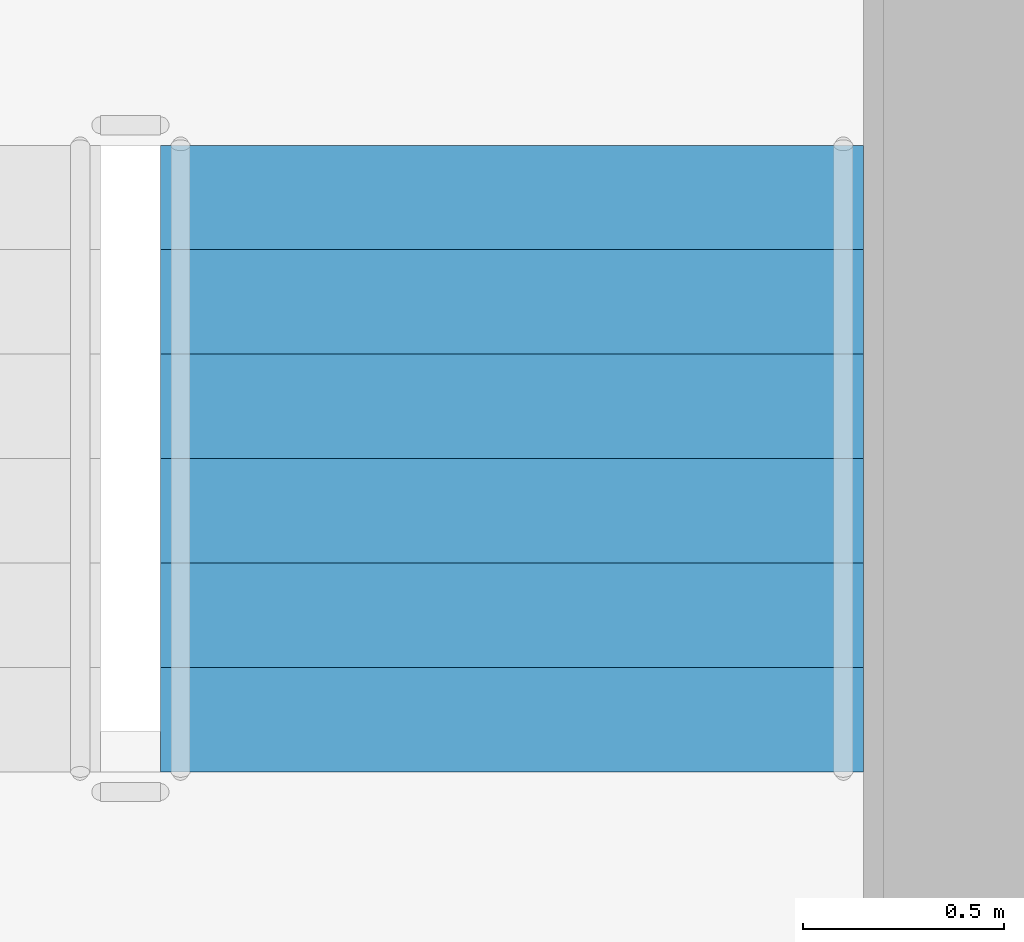
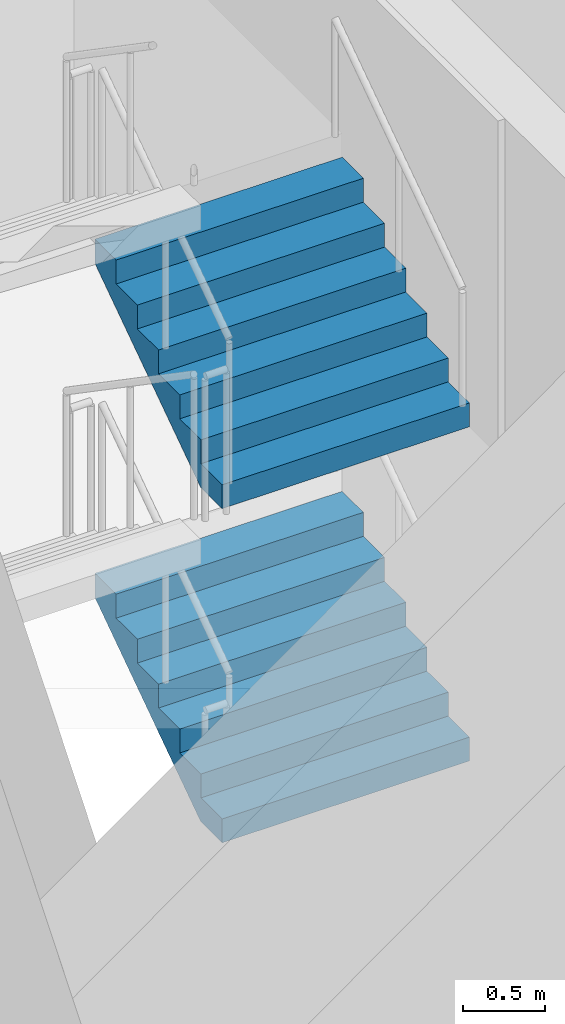
# One storey, part 25 of 34: 2 stair flights, 1 element without a shape of its own.
"""IFC4 building model written with IfcOpenShell, lengths in metres."""

from ifc_helpers import new_model, si_unit, direction, frame, origin, place, context, subcontext, project, spatial, faceted_brep, material, type_object, element, aggregate, save


model = new_model("IFC4")

# Units and contexts
model_context = context("Model", 3, precision=1e-05, world=origin(), true_north=direction((0.0, 1.0)))
body_context = subcontext(model_context, "Body", "Model", "MODEL_VIEW")
ifc_project = project(units=[si_unit("LENGTHUNIT", "METRE"), si_unit("AREAUNIT", "SQUARE_METRE"), si_unit("VOLUMEUNIT", "CUBIC_METRE"), si_unit("PLANEANGLEUNIT", "RADIAN"), si_unit("MASSUNIT", "GRAM", prefix="KILO")], contexts=[model_context])

# Site, building, storey
site_placement = place(None, origin())
site = spatial("IfcSite", under=ifc_project, at=site_placement, CompositionType="ELEMENT")
building_placement = place(site_placement, origin())
building = spatial("IfcBuilding", under=site, at=building_placement, Name="Ipe Terrace Towers", CompositionType="ELEMENT")
storey_placement = place(building_placement, frame((0.0, 0.0, 128.699951171875)))
storey = spatial("IfcBuildingStorey", under=building, at=storey_placement, Name="L35", CompositionType="ELEMENT", Elevation=128.699951171875)

# Stair, stair flights
ifc_material_1 = material(Name="Concrete C30/37", Category="concrete")
stair_type = type_object("IfcStairType", Name="Protected exit stair", PredefinedType="HALF_TURN_STAIR", material=ifc_material_1)
stair_placement = place(storey_placement, origin())
stair = element("IfcStair", 1, at=stair_placement, inside=storey, type_object=stair_type, Name="L35 Exit stair T2-C1", PredefinedType="HALF_TURN_STAIR")
ifc_material_2 = material(Name="Concrete C30/37", Category="concrete")
stair_flight_type = type_object("IfcStairFlightType", Name="Exit stair flight 1750", PredefinedType="STRAIGHT", material=ifc_material_2)
stair_flight_1_placement = place(storey_placement, frame((33.22509765625, 9.699951171875, 0.0), z_axis=(0.0, 0.0, 1.0), x_axis=(0.0, 1.0, 0.0)))
stair_flight_1 = element("IfcStairFlight", 2, at=stair_flight_1_placement, type_object=stair_flight_type, Name="T2-ST1 flight 1", NumberOfRisers=7, NumberOfTreads=6, PredefinedType="STRAIGHT", RiserHeight=0.178571429, TreadLength=0.26, context=body_context, shape_type="Brep", body=[
    faceted_brep([(0.264892578125, -0.875, 0.0), (1.56005859375, -0.875, 0.8896484375), (1.56005859375, -0.875, 1.071533203125), (1.300048828125, -0.875, 1.071533203125), (1.300048828125, -0.875, 0.892822265625), (1.0400390625, -0.875, 0.892822265625), (1.0400390625, -0.875, 0.71435546875), (0.780029296875, -0.875, 0.71435546875), (0.780029296875, -0.875, 0.53564453125), (0.52001953125, -0.875, 0.53564453125), (0.52001953125, -0.875, 0.357177734375), (0.260009765625, -0.875, 0.357177734375), (0.260009765625, -0.875, 0.178466796875), (0.0, -0.875, 0.178466796875), (0.0, -0.875, 0.0), (0.0, 0.875, 0.0), (0.0, 0.875, 0.178466796875), (0.260009765625, 0.875, 0.178466796875), (0.260009765625, 0.875, 0.357177734375), (0.52001953125, 0.875, 0.357177734375), (0.52001953125, 0.875, 0.53564453125), (0.780029296875, 0.875, 0.53564453125), (0.780029296875, 0.875, 0.71435546875), (1.0400390625, 0.875, 0.71435546875), (1.0400390625, 0.875, 0.892822265625), (1.300048828125, 0.875, 0.892822265625), (1.300048828125, 0.875, 1.071533203125), (1.56005859375, 0.875, 1.071533203125), (1.56005859375, 0.875, 0.8896484375), (0.264892578125, 0.875, 0.0), (0.0, -0.300048828125, 0.178466796875), (0.0, -0.1201171875, 0.178466796875), (0.0, -0.06005859375, 0.178466796875), (0.0, -0.030029296875, 0.178466796875), (0.0, -0.010009765625, 0.178466796875), (0.0, 0.0, 0.178466796875), (0.0, 0.010009765625, 0.178466796875), (0.0, 0.030029296875, 0.178466796875), (0.0, 0.06005859375, 0.178466796875), (0.0, 0.1201171875, 0.178466796875), (0.0, 0.300048828125, 0.178466796875), (0.0, 0.300048828125, 0.0), (0.0, 0.1201171875, 0.0), (0.0, 0.06005859375, 0.0), (0.0, 0.030029296875, 0.0), (0.0, 0.010009765625, 0.0), (0.0, 0.0, 0.0), (0.0, -0.010009765625, 0.0), (0.0, -0.030029296875, 0.0), (0.0, -0.06005859375, 0.0), (0.0, -0.1201171875, 0.0), (0.0, -0.300048828125, 0.0), (0.260009765625, -0.300048828125, 0.178466796875), (0.260009765625, -0.1201171875, 0.178466796875), (0.260009765625, -0.06005859375, 0.178466796875), (0.260009765625, -0.030029296875, 0.178466796875), (0.260009765625, -0.010009765625, 0.178466796875), (0.260009765625, 0.0, 0.178466796875), (0.260009765625, 0.010009765625, 0.178466796875), (0.260009765625, 0.030029296875, 0.178466796875), (0.260009765625, 0.06005859375, 0.178466796875), (0.260009765625, 0.1201171875, 0.178466796875), (0.260009765625, 0.300048828125, 0.178466796875), (0.260009765625, -0.300048828125, 0.357177734375), (0.260009765625, -0.1201171875, 0.357177734375), (0.260009765625, -0.06005859375, 0.357177734375), (0.260009765625, -0.030029296875, 0.357177734375), (0.260009765625, -0.010009765625, 0.357177734375), (0.260009765625, 0.0, 0.357177734375), (0.260009765625, 0.010009765625, 0.357177734375), (0.260009765625, 0.030029296875, 0.357177734375), (0.260009765625, 0.06005859375, 0.357177734375), (0.260009765625, 0.1201171875, 0.357177734375), (0.260009765625, 0.300048828125, 0.357177734375), (0.52001953125, -0.300048828125, 0.357177734375), (0.52001953125, -0.1201171875, 0.357177734375), (0.52001953125, -0.06005859375, 0.357177734375), (0.52001953125, -0.030029296875, 0.357177734375), (0.52001953125, -0.010009765625, 0.357177734375), (0.52001953125, 0.0, 0.357177734375), (0.52001953125, 0.010009765625, 0.357177734375), (0.52001953125, 0.030029296875, 0.357177734375), (0.52001953125, 0.06005859375, 0.357177734375), (0.52001953125, 0.1201171875, 0.357177734375), (0.52001953125, 0.300048828125, 0.357177734375), (0.52001953125, -0.300048828125, 0.53564453125), (0.52001953125, -0.1201171875, 0.53564453125), (0.52001953125, -0.06005859375, 0.53564453125), (0.52001953125, -0.030029296875, 0.53564453125), (0.52001953125, -0.010009765625, 0.53564453125), (0.52001953125, 0.0, 0.53564453125), (0.52001953125, 0.010009765625, 0.53564453125), (0.52001953125, 0.030029296875, 0.53564453125), (0.52001953125, 0.06005859375, 0.53564453125), (0.52001953125, 0.1201171875, 0.53564453125), (0.52001953125, 0.300048828125, 0.53564453125), (0.780029296875, -0.300048828125, 0.53564453125), (0.780029296875, -0.1201171875, 0.53564453125), (0.780029296875, -0.06005859375, 0.53564453125), (0.780029296875, -0.030029296875, 0.53564453125), (0.780029296875, -0.010009765625, 0.53564453125), (0.780029296875, 0.0, 0.53564453125), (0.780029296875, 0.010009765625, 0.53564453125), (0.780029296875, 0.030029296875, 0.53564453125), (0.780029296875, 0.06005859375, 0.53564453125), (0.780029296875, 0.1201171875, 0.53564453125), (0.780029296875, 0.300048828125, 0.53564453125), (0.780029296875, -0.300048828125, 0.71435546875), (0.780029296875, -0.1201171875, 0.71435546875), (0.780029296875, -0.06005859375, 0.71435546875), (0.780029296875, -0.030029296875, 0.71435546875), (0.780029296875, -0.010009765625, 0.71435546875), (0.780029296875, 0.0, 0.71435546875), (0.780029296875, 0.010009765625, 0.71435546875), (0.780029296875, 0.030029296875, 0.71435546875), (0.780029296875, 0.06005859375, 0.71435546875), (0.780029296875, 0.1201171875, 0.71435546875), (0.780029296875, 0.300048828125, 0.71435546875), (1.0400390625, -0.300048828125, 0.71435546875), (1.0400390625, -0.1201171875, 0.71435546875), (1.0400390625, -0.06005859375, 0.71435546875), (1.0400390625, -0.030029296875, 0.71435546875), (1.0400390625, -0.010009765625, 0.71435546875), (1.0400390625, 0.0, 0.71435546875), (1.0400390625, 0.010009765625, 0.71435546875), (1.0400390625, 0.030029296875, 0.71435546875), (1.0400390625, 0.06005859375, 0.71435546875), (1.0400390625, 0.1201171875, 0.71435546875), (1.0400390625, 0.300048828125, 0.71435546875), (1.0400390625, -0.300048828125, 0.892822265625), (1.0400390625, -0.1201171875, 0.892822265625), (1.0400390625, -0.06005859375, 0.892822265625), (1.0400390625, -0.030029296875, 0.892822265625), (1.0400390625, -0.010009765625, 0.892822265625), (1.0400390625, 0.0, 0.892822265625), (1.0400390625, 0.010009765625, 0.892822265625), (1.0400390625, 0.030029296875, 0.892822265625), (1.0400390625, 0.06005859375, 0.892822265625), (1.0400390625, 0.1201171875, 0.892822265625), (1.0400390625, 0.300048828125, 0.892822265625), (1.300048828125, -0.300048828125, 0.892822265625), (1.300048828125, -0.1201171875, 0.892822265625), (1.300048828125, -0.06005859375, 0.892822265625), (1.300048828125, -0.030029296875, 0.892822265625), (1.300048828125, -0.010009765625, 0.892822265625), (1.300048828125, 0.0, 0.892822265625), (1.300048828125, 0.010009765625, 0.892822265625), (1.300048828125, 0.030029296875, 0.892822265625), (1.300048828125, 0.06005859375, 0.892822265625), (1.300048828125, 0.1201171875, 0.892822265625), (1.300048828125, 0.300048828125, 0.892822265625), (1.300048828125, -0.300048828125, 1.071533203125), (1.300048828125, -0.1201171875, 1.071533203125), (1.300048828125, -0.06005859375, 1.071533203125), (1.300048828125, -0.030029296875, 1.071533203125), (1.300048828125, -0.010009765625, 1.071533203125), (1.300048828125, 0.0, 1.071533203125), (1.300048828125, 0.010009765625, 1.071533203125), (1.300048828125, 0.030029296875, 1.071533203125), (1.300048828125, 0.06005859375, 1.071533203125), (1.300048828125, 0.1201171875, 1.071533203125), (1.300048828125, 0.300048828125, 1.071533203125), (1.56005859375, -0.300048828125, 1.071533203125), (1.56005859375, -0.1201171875, 1.071533203125), (1.56005859375, -0.06005859375, 1.071533203125), (1.56005859375, -0.030029296875, 1.071533203125), (1.56005859375, -0.010009765625, 1.071533203125), (1.56005859375, 0.0, 1.071533203125), (1.56005859375, 0.010009765625, 1.071533203125), (1.56005859375, 0.030029296875, 1.071533203125), (1.56005859375, 0.06005859375, 1.071533203125), (1.56005859375, 0.1201171875, 1.071533203125), (1.56005859375, 0.300048828125, 1.071533203125), (1.56005859375, -0.300048828125, 0.8896484375), (1.56005859375, -0.1201171875, 0.8896484375), (1.56005859375, -0.06005859375, 0.8896484375), (1.56005859375, -0.030029296875, 0.8896484375), (1.56005859375, -0.010009765625, 0.8896484375), (1.56005859375, 0.0, 0.8896484375), (1.56005859375, 0.010009765625, 0.8896484375), (1.56005859375, 0.030029296875, 0.8896484375), (1.56005859375, 0.06005859375, 0.8896484375), (1.56005859375, 0.1201171875, 0.8896484375), (1.56005859375, 0.300048828125, 0.8896484375), (0.264892578125, -0.300048828125, 0.0), (0.264892578125, -0.1201171875, 0.0), (0.264892578125, -0.06005859375, 0.0), (0.264892578125, -0.030029296875, 0.0), (0.264892578125, -0.010009765625, 0.0), (0.264892578125, 0.0, 0.0), (0.264892578125, 0.010009765625, 0.0), (0.264892578125, 0.030029296875, 0.0), (0.264892578125, 0.06005859375, 0.0), (0.264892578125, 0.1201171875, 0.0), (0.264892578125, 0.300048828125, 0.0)], [[[0, 1, 2, 3, 4, 5, 6, 7, 8, 9, 10, 11, 12, 13, 14]], [[15, 16, 17, 18, 19, 20, 21, 22, 23, 24, 25, 26, 27, 28, 29]], [[13, 30, 31, 32, 33, 34, 35, 36, 37, 38, 39, 40, 16, 15, 41, 42, 43, 44, 45, 46, 47, 48, 49, 50, 51, 14]], [[12, 52, 53, 54, 55, 56, 57, 58, 59, 60, 61, 62, 17, 16, 40, 39, 38, 37, 36, 35, 34, 33, 32, 31, 30, 13]], [[11, 63, 64, 65, 66, 67, 68, 69, 70, 71, 72, 73, 18, 17, 62, 61, 60, 59, 58, 57, 56, 55, 54, 53, 52, 12]], [[10, 74, 75, 76, 77, 78, 79, 80, 81, 82, 83, 84, 19, 18, 73, 72, 71, 70, 69, 68, 67, 66, 65, 64, 63, 11]], [[9, 85, 86, 87, 88, 89, 90, 91, 92, 93, 94, 95, 20, 19, 84, 83, 82, 81, 80, 79, 78, 77, 76, 75, 74, 10]], [[8, 96, 97, 98, 99, 100, 101, 102, 103, 104, 105, 106, 21, 20, 95, 94, 93, 92, 91, 90, 89, 88, 87, 86, 85, 9]], [[7, 107, 108, 109, 110, 111, 112, 113, 114, 115, 116, 117, 22, 21, 106, 105, 104, 103, 102, 101, 100, 99, 98, 97, 96, 8]], [[6, 118, 119, 120, 121, 122, 123, 124, 125, 126, 127, 128, 23, 22, 117, 116, 115, 114, 113, 112, 111, 110, 109, 108, 107, 7]], [[5, 129, 130, 131, 132, 133, 134, 135, 136, 137, 138, 139, 24, 23, 128, 127, 126, 125, 124, 123, 122, 121, 120, 119, 118, 6]], [[4, 140, 141, 142, 143, 144, 145, 146, 147, 148, 149, 150, 25, 24, 139, 138, 137, 136, 135, 134, 133, 132, 131, 130, 129, 5]], [[3, 151, 152, 153, 154, 155, 156, 157, 158, 159, 160, 161, 26, 25, 150, 149, 148, 147, 146, 145, 144, 143, 142, 141, 140, 4]], [[2, 162, 163, 164, 165, 166, 167, 168, 169, 170, 171, 172, 27, 26, 161, 160, 159, 158, 157, 156, 155, 154, 153, 152, 151, 3]], [[1, 173, 174, 175, 176, 177, 178, 179, 180, 181, 182, 183, 28, 27, 172, 171, 170, 169, 168, 167, 166, 165, 164, 163, 162, 2]], [[0, 184, 185, 186, 187, 188, 189, 190, 191, 192, 193, 194, 29, 28, 183, 182, 181, 180, 179, 178, 177, 176, 175, 174, 173, 1]], [[14, 51, 50, 49, 48, 47, 46, 45, 44, 43, 42, 41, 15, 29, 194, 193, 192, 191, 190, 189, 188, 187, 186, 185, 184, 0]]]),
])
stair_flight_2_placement = place(storey_placement, frame((33.22509765625, 9.699951171875, 2.5), z_axis=(0.0, 0.0, 1.0), x_axis=(0.0, 1.0, 0.0)))
stair_flight_2 = element("IfcStairFlight", 3, at=stair_flight_2_placement, type_object=stair_flight_type, Name="T2-ST1 flight 3", NumberOfRisers=7, NumberOfTreads=6, PredefinedType="STRAIGHT", RiserHeight=0.178571429, TreadLength=0.26, context=body_context, shape_type="Brep", body=[
    faceted_brep([(0.264892578125, -0.875, 0.0), (1.56005859375, -0.875, 0.8896484375), (1.56005859375, -0.875, 1.071533203125), (1.300048828125, -0.875, 1.071533203125), (1.300048828125, -0.875, 0.892822265625), (1.0400390625, -0.875, 0.892822265625), (1.0400390625, -0.875, 0.71435546875), (0.780029296875, -0.875, 0.71435546875), (0.780029296875, -0.875, 0.53564453125), (0.52001953125, -0.875, 0.53564453125), (0.52001953125, -0.875, 0.357177734375), (0.260009765625, -0.875, 0.357177734375), (0.260009765625, -0.875, 0.178466796875), (0.0, -0.875, 0.178466796875), (0.0, -0.875, 0.0), (0.0, 0.875, 0.0), (0.0, 0.875, 0.178466796875), (0.260009765625, 0.875, 0.178466796875), (0.260009765625, 0.875, 0.357177734375), (0.52001953125, 0.875, 0.357177734375), (0.52001953125, 0.875, 0.53564453125), (0.780029296875, 0.875, 0.53564453125), (0.780029296875, 0.875, 0.71435546875), (1.0400390625, 0.875, 0.71435546875), (1.0400390625, 0.875, 0.892822265625), (1.300048828125, 0.875, 0.892822265625), (1.300048828125, 0.875, 1.071533203125), (1.56005859375, 0.875, 1.071533203125), (1.56005859375, 0.875, 0.8896484375), (0.264892578125, 0.875, 0.0), (0.0, -0.300048828125, 0.178466796875), (0.0, -0.1201171875, 0.178466796875), (0.0, -0.06005859375, 0.178466796875), (0.0, -0.030029296875, 0.178466796875), (0.0, -0.010009765625, 0.178466796875), (0.0, 0.0, 0.178466796875), (0.0, 0.010009765625, 0.178466796875), (0.0, 0.030029296875, 0.178466796875), (0.0, 0.06005859375, 0.178466796875), (0.0, 0.1201171875, 0.178466796875), (0.0, 0.300048828125, 0.178466796875), (0.0, 0.300048828125, 0.0), (0.0, 0.1201171875, 0.0), (0.0, 0.06005859375, 0.0), (0.0, 0.030029296875, 0.0), (0.0, 0.010009765625, 0.0), (0.0, 0.0, 0.0), (0.0, -0.010009765625, 0.0), (0.0, -0.030029296875, 0.0), (0.0, -0.06005859375, 0.0), (0.0, -0.1201171875, 0.0), (0.0, -0.300048828125, 0.0), (0.260009765625, -0.300048828125, 0.178466796875), (0.260009765625, -0.1201171875, 0.178466796875), (0.260009765625, -0.06005859375, 0.178466796875), (0.260009765625, -0.030029296875, 0.178466796875), (0.260009765625, -0.010009765625, 0.178466796875), (0.260009765625, 0.0, 0.178466796875), (0.260009765625, 0.010009765625, 0.178466796875), (0.260009765625, 0.030029296875, 0.178466796875), (0.260009765625, 0.06005859375, 0.178466796875), (0.260009765625, 0.1201171875, 0.178466796875), (0.260009765625, 0.300048828125, 0.178466796875), (0.260009765625, -0.300048828125, 0.357177734375), (0.260009765625, -0.1201171875, 0.357177734375), (0.260009765625, -0.06005859375, 0.357177734375), (0.260009765625, -0.030029296875, 0.357177734375), (0.260009765625, -0.010009765625, 0.357177734375), (0.260009765625, 0.0, 0.357177734375), (0.260009765625, 0.010009765625, 0.357177734375), (0.260009765625, 0.030029296875, 0.357177734375), (0.260009765625, 0.06005859375, 0.357177734375), (0.260009765625, 0.1201171875, 0.357177734375), (0.260009765625, 0.300048828125, 0.357177734375), (0.52001953125, -0.300048828125, 0.357177734375), (0.52001953125, -0.1201171875, 0.357177734375), (0.52001953125, -0.06005859375, 0.357177734375), (0.52001953125, -0.030029296875, 0.357177734375), (0.52001953125, -0.010009765625, 0.357177734375), (0.52001953125, 0.0, 0.357177734375), (0.52001953125, 0.010009765625, 0.357177734375), (0.52001953125, 0.030029296875, 0.357177734375), (0.52001953125, 0.06005859375, 0.357177734375), (0.52001953125, 0.1201171875, 0.357177734375), (0.52001953125, 0.300048828125, 0.357177734375), (0.52001953125, -0.300048828125, 0.53564453125), (0.52001953125, -0.1201171875, 0.53564453125), (0.52001953125, -0.06005859375, 0.53564453125), (0.52001953125, -0.030029296875, 0.53564453125), (0.52001953125, -0.010009765625, 0.53564453125), (0.52001953125, 0.0, 0.53564453125), (0.52001953125, 0.010009765625, 0.53564453125), (0.52001953125, 0.030029296875, 0.53564453125), (0.52001953125, 0.06005859375, 0.53564453125), (0.52001953125, 0.1201171875, 0.53564453125), (0.52001953125, 0.300048828125, 0.53564453125), (0.780029296875, -0.300048828125, 0.53564453125), (0.780029296875, -0.1201171875, 0.53564453125), (0.780029296875, -0.06005859375, 0.53564453125), (0.780029296875, -0.030029296875, 0.53564453125), (0.780029296875, -0.010009765625, 0.53564453125), (0.780029296875, 0.0, 0.53564453125), (0.780029296875, 0.010009765625, 0.53564453125), (0.780029296875, 0.030029296875, 0.53564453125), (0.780029296875, 0.06005859375, 0.53564453125), (0.780029296875, 0.1201171875, 0.53564453125), (0.780029296875, 0.300048828125, 0.53564453125), (0.780029296875, -0.300048828125, 0.71435546875), (0.780029296875, -0.1201171875, 0.71435546875), (0.780029296875, -0.06005859375, 0.71435546875), (0.780029296875, -0.030029296875, 0.71435546875), (0.780029296875, -0.010009765625, 0.71435546875), (0.780029296875, 0.0, 0.71435546875), (0.780029296875, 0.010009765625, 0.71435546875), (0.780029296875, 0.030029296875, 0.71435546875), (0.780029296875, 0.06005859375, 0.71435546875), (0.780029296875, 0.1201171875, 0.71435546875), (0.780029296875, 0.300048828125, 0.71435546875), (1.0400390625, -0.300048828125, 0.71435546875), (1.0400390625, -0.1201171875, 0.71435546875), (1.0400390625, -0.06005859375, 0.71435546875), (1.0400390625, -0.030029296875, 0.71435546875), (1.0400390625, -0.010009765625, 0.71435546875), (1.0400390625, 0.0, 0.71435546875), (1.0400390625, 0.010009765625, 0.71435546875), (1.0400390625, 0.030029296875, 0.71435546875), (1.0400390625, 0.06005859375, 0.71435546875), (1.0400390625, 0.1201171875, 0.71435546875), (1.0400390625, 0.300048828125, 0.71435546875), (1.0400390625, -0.300048828125, 0.892822265625), (1.0400390625, -0.1201171875, 0.892822265625), (1.0400390625, -0.06005859375, 0.892822265625), (1.0400390625, -0.030029296875, 0.892822265625), (1.0400390625, -0.010009765625, 0.892822265625), (1.0400390625, 0.0, 0.892822265625), (1.0400390625, 0.010009765625, 0.892822265625), (1.0400390625, 0.030029296875, 0.892822265625), (1.0400390625, 0.06005859375, 0.892822265625), (1.0400390625, 0.1201171875, 0.892822265625), (1.0400390625, 0.300048828125, 0.892822265625), (1.300048828125, -0.300048828125, 0.892822265625), (1.300048828125, -0.1201171875, 0.892822265625), (1.300048828125, -0.06005859375, 0.892822265625), (1.300048828125, -0.030029296875, 0.892822265625), (1.300048828125, -0.010009765625, 0.892822265625), (1.300048828125, 0.0, 0.892822265625), (1.300048828125, 0.010009765625, 0.892822265625), (1.300048828125, 0.030029296875, 0.892822265625), (1.300048828125, 0.06005859375, 0.892822265625), (1.300048828125, 0.1201171875, 0.892822265625), (1.300048828125, 0.300048828125, 0.892822265625), (1.300048828125, -0.300048828125, 1.071533203125), (1.300048828125, -0.1201171875, 1.071533203125), (1.300048828125, -0.06005859375, 1.071533203125), (1.300048828125, -0.030029296875, 1.071533203125), (1.300048828125, -0.010009765625, 1.071533203125), (1.300048828125, 0.0, 1.071533203125), (1.300048828125, 0.010009765625, 1.071533203125), (1.300048828125, 0.030029296875, 1.071533203125), (1.300048828125, 0.06005859375, 1.071533203125), (1.300048828125, 0.1201171875, 1.071533203125), (1.300048828125, 0.300048828125, 1.071533203125), (1.56005859375, -0.300048828125, 1.071533203125), (1.56005859375, -0.1201171875, 1.071533203125), (1.56005859375, -0.06005859375, 1.071533203125), (1.56005859375, -0.030029296875, 1.071533203125), (1.56005859375, -0.010009765625, 1.071533203125), (1.56005859375, 0.0, 1.071533203125), (1.56005859375, 0.010009765625, 1.071533203125), (1.56005859375, 0.030029296875, 1.071533203125), (1.56005859375, 0.06005859375, 1.071533203125), (1.56005859375, 0.1201171875, 1.071533203125), (1.56005859375, 0.300048828125, 1.071533203125), (1.56005859375, -0.300048828125, 0.8896484375), (1.56005859375, -0.1201171875, 0.8896484375), (1.56005859375, -0.06005859375, 0.8896484375), (1.56005859375, -0.030029296875, 0.8896484375), (1.56005859375, -0.010009765625, 0.8896484375), (1.56005859375, 0.0, 0.8896484375), (1.56005859375, 0.010009765625, 0.8896484375), (1.56005859375, 0.030029296875, 0.8896484375), (1.56005859375, 0.06005859375, 0.8896484375), (1.56005859375, 0.1201171875, 0.8896484375), (1.56005859375, 0.300048828125, 0.8896484375), (0.264892578125, -0.300048828125, 0.0), (0.264892578125, -0.1201171875, 0.0), (0.264892578125, -0.06005859375, 0.0), (0.264892578125, -0.030029296875, 0.0), (0.264892578125, -0.010009765625, 0.0), (0.264892578125, 0.0, 0.0), (0.264892578125, 0.010009765625, 0.0), (0.264892578125, 0.030029296875, 0.0), (0.264892578125, 0.06005859375, 0.0), (0.264892578125, 0.1201171875, 0.0), (0.264892578125, 0.300048828125, 0.0)], [[[0, 1, 2, 3, 4, 5, 6, 7, 8, 9, 10, 11, 12, 13, 14]], [[15, 16, 17, 18, 19, 20, 21, 22, 23, 24, 25, 26, 27, 28, 29]], [[13, 30, 31, 32, 33, 34, 35, 36, 37, 38, 39, 40, 16, 15, 41, 42, 43, 44, 45, 46, 47, 48, 49, 50, 51, 14]], [[12, 52, 53, 54, 55, 56, 57, 58, 59, 60, 61, 62, 17, 16, 40, 39, 38, 37, 36, 35, 34, 33, 32, 31, 30, 13]], [[11, 63, 64, 65, 66, 67, 68, 69, 70, 71, 72, 73, 18, 17, 62, 61, 60, 59, 58, 57, 56, 55, 54, 53, 52, 12]], [[10, 74, 75, 76, 77, 78, 79, 80, 81, 82, 83, 84, 19, 18, 73, 72, 71, 70, 69, 68, 67, 66, 65, 64, 63, 11]], [[9, 85, 86, 87, 88, 89, 90, 91, 92, 93, 94, 95, 20, 19, 84, 83, 82, 81, 80, 79, 78, 77, 76, 75, 74, 10]], [[8, 96, 97, 98, 99, 100, 101, 102, 103, 104, 105, 106, 21, 20, 95, 94, 93, 92, 91, 90, 89, 88, 87, 86, 85, 9]], [[7, 107, 108, 109, 110, 111, 112, 113, 114, 115, 116, 117, 22, 21, 106, 105, 104, 103, 102, 101, 100, 99, 98, 97, 96, 8]], [[6, 118, 119, 120, 121, 122, 123, 124, 125, 126, 127, 128, 23, 22, 117, 116, 115, 114, 113, 112, 111, 110, 109, 108, 107, 7]], [[5, 129, 130, 131, 132, 133, 134, 135, 136, 137, 138, 139, 24, 23, 128, 127, 126, 125, 124, 123, 122, 121, 120, 119, 118, 6]], [[4, 140, 141, 142, 143, 144, 145, 146, 147, 148, 149, 150, 25, 24, 139, 138, 137, 136, 135, 134, 133, 132, 131, 130, 129, 5]], [[3, 151, 152, 153, 154, 155, 156, 157, 158, 159, 160, 161, 26, 25, 150, 149, 148, 147, 146, 145, 144, 143, 142, 141, 140, 4]], [[2, 162, 163, 164, 165, 166, 167, 168, 169, 170, 171, 172, 27, 26, 161, 160, 159, 158, 157, 156, 155, 154, 153, 152, 151, 3]], [[1, 173, 174, 175, 176, 177, 178, 179, 180, 181, 182, 183, 28, 27, 172, 171, 170, 169, 168, 167, 166, 165, 164, 163, 162, 2]], [[0, 184, 185, 186, 187, 188, 189, 190, 191, 192, 193, 194, 29, 28, 183, 182, 181, 180, 179, 178, 177, 176, 175, 174, 173, 1]], [[14, 51, 50, 49, 48, 47, 46, 45, 44, 43, 42, 41, 15, 29, 194, 193, 192, 191, 190, 189, 188, 187, 186, 185, 184, 0]]]),
])
aggregate(stair, [stair_flight_1, stair_flight_2])

save(model, "model.ifc")
